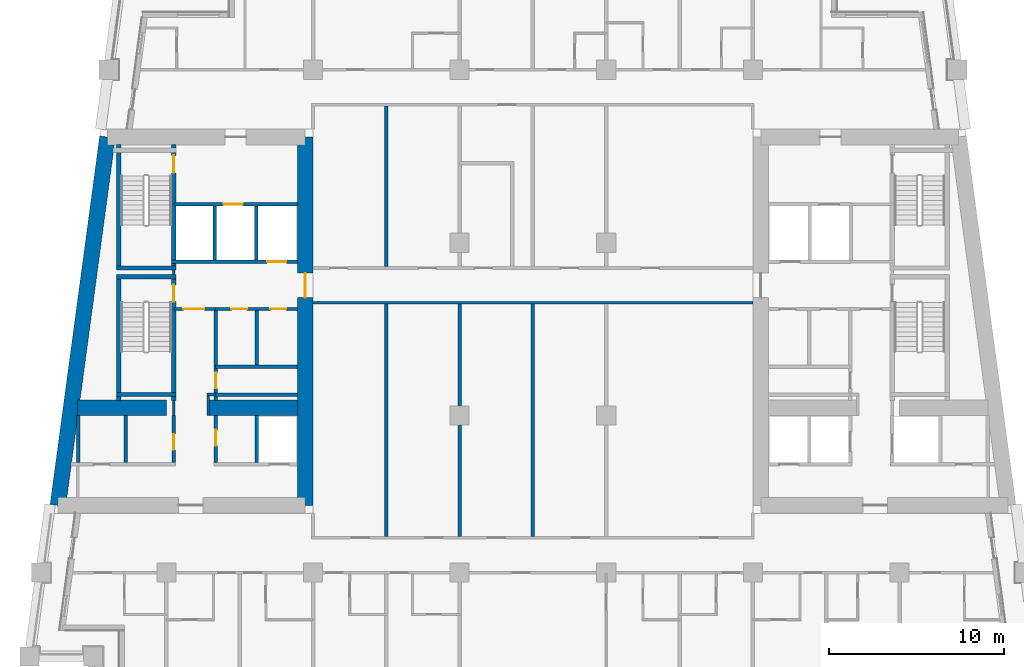
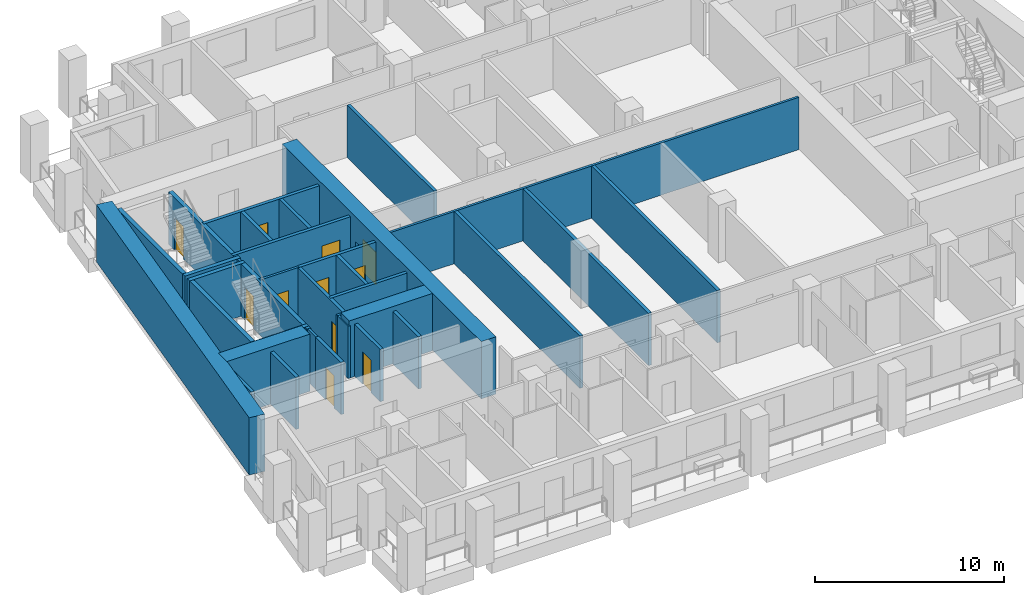
# One storey, part 4 of 13: 35 walls, 11 doors, 11 openings.
"""IFC4 building model written with IfcOpenShell, lengths in metres."""

from ifc_helpers import new_model, si_unit, direction, frame, frame_2d, origin, place, context, subcontext, project, spatial, rectangle, extrude, material, layer, layer_set, type_object, element, fill, save


model = new_model("IFC4")

# Units and contexts
model_context = context("Model", 3, precision=1e-05, world=origin(), true_north=direction((0.0, 1.0)))
body_context = subcontext(model_context, "Body", "Model", "MODEL_VIEW")
ifc_project = project(units=[si_unit("LENGTHUNIT", "METRE"), si_unit("AREAUNIT", "SQUARE_METRE"), si_unit("VOLUMEUNIT", "CUBIC_METRE"), si_unit("PLANEANGLEUNIT", "RADIAN"), si_unit("MASSUNIT", "GRAM", prefix="KILO")], contexts=[model_context])

# Site, building, storey
site_placement = place(None, origin())
site = spatial("IfcSite", under=ifc_project, at=site_placement, CompositionType="ELEMENT")
building_placement = place(site_placement, origin())
building = spatial("IfcBuilding", under=site, at=building_placement, Name="Candeia Pilgrim Tower and Theatre", CompositionType="ELEMENT")
storey_placement = place(building_placement, frame((0.0, 0.0, 181.10009765625)))
storey = spatial("IfcBuildingStorey", under=building, at=storey_placement, Name="L43", CompositionType="ELEMENT", Elevation=181.10009765625)

# Wall, opening, door
ifc_material_1 = material(Name="Concrete C60/75", Category="concrete")
ifc_layer_1 = layer(ifc_material_1, 0.89990234375)
ifc_layer_set_1 = layer_set([ifc_layer_1], Name="Core wall 900 C60/75")
wall_type_1 = type_object("IfcWallType", Name="Core wall 900 C60/75", PredefinedType="SHEAR", material=ifc_layer_set_1)
wall_1_placement = place(storey_placement, frame((100.35009765625, 131.949951171875, 0.0), z_axis=(0.0, 0.0, 1.0), x_axis=(0.0, -1.0, 0.0)))
wall_1 = element("IfcWall", 1, at=wall_1_placement, inside=storey, type_object=wall_type_1, Name="Core wall W2", PredefinedType="SHEAR", context=body_context, shape_type="SweptSolid", body=[
    extrude(rectangle(XDim=21.099853515625, YDim=0.89990234375, at=frame_2d((10.5498046875, 0.0))), origin(), (0.0, 0.0, 1.0), 3.699951171875),
])
opening_1_placement = place(wall_1_placement, frame((7.800048828125, 0.0, 0.0)))
opening_1 = element("IfcOpeningElement", 2, at=opening_1_placement, cuts=wall_1, Name="Opening L43-D066", PredefinedType="OPENING", context=body_context, shape_type="SweptSolid", body=[
    extrude(rectangle(XDim=1.39990234375, YDim=2.10009765625, at=frame_2d((0.699951171875, 1.050048828125))), frame((0.0, 0.4599609375, 0.0), z_axis=(0.0, -1.0, 0.0), x_axis=(1.0, 0.0, 0.0)), (0.0, 0.0, 1.0), 0.919921875),
])
ifc_material_2 = material(Name="Steel fire door set", Category="steel")
door_type_1 = type_object("IfcDoorType", Name="D-1400-FD60", OperationType="NOTDEFINED", PredefinedType="DOOR", material=ifc_material_2)
door_1_placement = place(opening_1_placement, origin())
door_1 = element("IfcDoor", 3, at=door_1_placement, inside=storey, type_object=door_type_1, Name="Door L43-D066", OperationType="SINGLE_SWING_LEFT", OverallHeight=2.10009765625, OverallWidth=1.39990234375, PredefinedType="DOOR", context=body_context, shape_type="SweptSolid", body=[
    extrude(rectangle(XDim=1.39990234375, YDim=2.10009765625, at=frame_2d((0.699951171875, 1.050048828125))), frame((0.0, 0.02490234375, 0.0), z_axis=(0.0, -1.0, 0.0), x_axis=(1.0, 0.0, 0.0)), (0.0, 0.0, 1.0), 0.050048828125),
])
fill(opening_1, door_1)

# Walls
wall_2_placement = place(storey_placement, frame((86.183837890625, 110.85009765625, 0.0), z_axis=(0.0, 0.0, 1.0), x_axis=(0.133410495943, 0.991060865725, 0.0)))
element("IfcWall", 4, at=wall_2_placement, inside=storey, type_object=wall_type_1, Name="Core wall W4", PredefinedType="SHEAR", context=body_context, shape_type="SweptSolid", body=[
    extrude(rectangle(XDim=21.290283203125, YDim=0.89990234375, at=frame_2d((10.64501953125, 0.0))), origin(), (0.0, 0.0, 1.0), 3.699951171875),
])
wall_3_placement = place(storey_placement, frame((87.322998046875, 116.449951171875, 0.0), z_axis=(0.0, 0.0, 1.0), x_axis=(1.0, 0.0, 0.0)))
element("IfcWall", 5, at=wall_3_placement, inside=storey, type_object=wall_type_1, Name="Core wall W5", PredefinedType="SHEAR", context=body_context, shape_type="SweptSolid", body=[
    extrude(rectangle(XDim=5.076904296875, YDim=0.89990234375, at=frame_2d((2.53857421875, 0.0))), origin(), (0.0, 0.0, 1.0), 3.699951171875),
])
wall_4_placement = place(storey_placement, frame((94.800048828125, 116.449951171875, 0.0), z_axis=(0.0, 0.0, 1.0), x_axis=(1.0, 0.0, 0.0)))
element("IfcWall", 6, at=wall_4_placement, inside=storey, type_object=wall_type_1, Name="Core wall W6", PredefinedType="SHEAR", context=body_context, shape_type="SweptSolid", body=[
    extrude(rectangle(XDim=5.099853515625, YDim=0.89990234375, at=frame_2d((2.5498046875, 0.0))), origin(), (0.0, 0.0, 1.0), 3.699951171875),
])
ifc_material_3 = material(Name="Gypsum board partition on steel studs", Category="steel")
ifc_layer_2 = layer(ifc_material_3, 0.14990234375)
ifc_layer_set_2 = layer_set([ifc_layer_2], Name="PW-150 lobby wall")
wall_type_2 = type_object("IfcWallType", Name="PW-150 lobby wall", PredefinedType="PARTITIONING", material=ifc_layer_set_2)
wall_5_placement = place(storey_placement, frame((94.72509765625, 117.199951171875, 0.0), z_axis=(0.0, 0.0, 1.0), x_axis=(1.0, 0.0, 0.0)))
element("IfcWall", 7, at=wall_5_placement, inside=storey, type_object=wall_type_2, Name="Lobby wall L43-019", PredefinedType="PARTITIONING", context=body_context, shape_type="SweptSolid", body=[
    extrude(rectangle(XDim=0.501953125, YDim=0.14990234375, at=frame_2d((0.2509765625, 0.0))), origin(), (0.0, 0.0, 1.0), 3.3798828125),
])

# Wall, opening, door
wall_6_placement = place(storey_placement, frame((92.826904296875, 122.10009765625, 0.0), z_axis=(0.0, 0.0, 1.0), x_axis=(1.0, 0.0, 0.0)))
wall_6 = element("IfcWall", 8, at=wall_6_placement, inside=storey, type_object=wall_type_2, Name="Lobby wall L43-027", PredefinedType="PARTITIONING", context=body_context, shape_type="SweptSolid", body=[
    extrude(rectangle(XDim=2.400146484375, YDim=0.14990234375, at=frame_2d((1.2001953125, 0.0))), origin(), (0.0, 0.0, 1.0), 3.3798828125),
])
opening_2_placement = place(wall_6_placement, frame((0.550048828125, 0.0, 0.0)))
opening_2 = element("IfcOpeningElement", 9, at=opening_2_placement, cuts=wall_6, Name="Opening L43-D001", PredefinedType="OPENING", context=body_context, shape_type="SweptSolid", body=[
    extrude(rectangle(XDim=1.199951171875, YDim=2.10009765625, at=frame_2d((0.60009765625, 1.050048828125))), frame((0.0, 0.0849609375, 0.0), z_axis=(0.0, -1.0, 0.0), x_axis=(1.0, 0.0, 0.0)), (0.0, 0.0, 1.0), 0.169921875),
])
door_type_2 = type_object("IfcDoorType", Name="D-1200-FD60", OperationType="NOTDEFINED", PredefinedType="DOOR", material=ifc_material_2)
door_2_placement = place(opening_2_placement, origin())
door_2 = element("IfcDoor", 10, at=door_2_placement, inside=storey, type_object=door_type_2, Name="Door L43-D001", OperationType="SINGLE_SWING_RIGHT", OverallHeight=2.10009765625, OverallWidth=1.199951171875, PredefinedType="DOOR", context=body_context, shape_type="SweptSolid", body=[
    extrude(rectangle(XDim=1.199951171875, YDim=2.10009765625, at=frame_2d((0.60009765625, 1.050048828125))), frame((0.0, 0.02490234375, 0.0), z_axis=(0.0, -1.0, 0.0), x_axis=(1.0, 0.0, 0.0)), (0.0, 0.0, 1.0), 0.050048828125),
])
fill(opening_2, door_2)

# Walls
wall_7_placement = place(storey_placement, frame((92.826904296875, 116.0, 0.0), z_axis=(0.0, 0.0, 1.0), x_axis=(0.0, 1.0, 0.0)))
element("IfcWall", 11, at=wall_7_placement, inside=storey, type_object=wall_type_2, Name="Lobby wall L43-060", PredefinedType="PARTITIONING", context=body_context, shape_type="SweptSolid", body=[
    extrude(rectangle(XDim=0.8701171875, YDim=0.14990234375, at=frame_2d((0.43505859375, 0.0))), origin(), (0.0, 0.0, 1.0), 3.3798828125),
])
wall_8_placement = place(storey_placement, frame((92.826904296875, 124.074951171875, 0.0), z_axis=(0.0, 0.0, 1.0), x_axis=(0.0, 1.0, 0.0)))
element("IfcWall", 12, at=wall_8_placement, inside=storey, type_object=wall_type_2, Name="Lobby wall L43-061", PredefinedType="PARTITIONING", context=body_context, shape_type="SweptSolid", body=[
    extrude(rectangle(XDim=0.25, YDim=0.14990234375, at=frame_2d((0.125, 0.0))), origin(), (0.0, 0.0, 1.0), 3.3798828125),
])
wall_9_placement = place(storey_placement, frame((94.800048828125, 116.0, 0.0), z_axis=(0.0, 0.0, 1.0), x_axis=(0.0, 1.0, 0.0)))
element("IfcWall", 13, at=wall_9_placement, inside=storey, type_object=wall_type_2, Name="Lobby wall L43-065", PredefinedType="PARTITIONING", context=body_context, shape_type="SweptSolid", body=[
    extrude(rectangle(XDim=1.125, YDim=0.14990234375, at=frame_2d((0.5625, 0.0))), origin(), (0.0, 0.0, 1.0), 3.3798828125),
])
ifc_layer_3 = layer(ifc_material_3, 0.14990234375)
ifc_layer_set_3 = layer_set([ifc_layer_3], Name="PW-150 unit wall")
wall_type_3 = type_object("IfcWallType", Name="PW-150 unit wall", PredefinedType="PARTITIONING", material=ifc_layer_set_3)
wall_10_placement = place(storey_placement, frame((100.800048828125, 122.449951171875, 0.0), z_axis=(0.0, 0.0, 1.0), x_axis=(1.0, 0.0, 0.0)))
element("IfcWall", 14, at=wall_10_placement, inside=storey, type_object=wall_type_3, Name="Unit wall L43-029", PredefinedType="PARTITIONING", context=body_context, shape_type="SweptSolid", body=[
    extrude(rectangle(XDim=25.199951171875, YDim=0.14990234375, at=frame_2d((12.60009765625, 0.0))), origin(), (0.0, 0.0, 1.0), 3.3798828125),
])
ifc_layer_4 = layer(ifc_material_3, 0.199951171875)
ifc_layer_set_4 = layer_set([ifc_layer_4], Name="PW-200 party wall")
wall_type_4 = type_object("IfcWallType", Name="PW-200 party wall", PredefinedType="PARTITIONING", material=ifc_layer_set_4)
wall_11_placement = place(storey_placement, frame((105.0, 109.074951171875, 0.0), z_axis=(0.0, 0.0, 1.0), x_axis=(0.0, 1.0, 0.0)))
element("IfcWall", 15, at=wall_11_placement, inside=storey, type_object=wall_type_4, Name="Party wall L43-082", PredefinedType="PARTITIONING", context=body_context, shape_type="SweptSolid", body=[
    extrude(rectangle(XDim=13.300048828125, YDim=0.199951171875, at=frame_2d((6.64990234375, 0.0))), origin(), (0.0, 0.0, 1.0), 3.3798828125),
])
wall_12_placement = place(storey_placement, frame((105.0, 124.52490234375, 0.0), z_axis=(0.0, 0.0, 1.0), x_axis=(0.0, 1.0, 0.0)))
element("IfcWall", 16, at=wall_12_placement, inside=storey, type_object=wall_type_4, Name="Party wall L43-083", PredefinedType="PARTITIONING", context=body_context, shape_type="SweptSolid", body=[
    extrude(rectangle(XDim=9.2001953125, YDim=0.199951171875, at=frame_2d((4.60009765625, 0.0))), origin(), (0.0, 0.0, 1.0), 3.3798828125),
])
for number, where, z_axis, x_axis, name in (
    (17, (109.199951171875, 109.074951171875, 0.0), (0.0, 0.0, 1.0), (0.0, 1.0, 0.0), "Party wall L43-087"),
    (18, (113.39990234375, 109.074951171875, 0.0), (0.0, 0.0, 1.0), (0.0, 1.0, 0.0), "Party wall L43-091"),
):
    element("IfcWall", number, at=place(storey_placement, frame(where, z_axis=z_axis, x_axis=x_axis)), inside=storey, type_object=wall_type_4, Name=name, PredefinedType="PARTITIONING", context=body_context, shape_type="SweptSolid", body=[
        extrude(rectangle(XDim=13.300048828125, YDim=0.199951171875, at=frame_2d((6.64990234375, 0.0))), origin(), (0.0, 0.0, 1.0), 3.3798828125),
    ])
ifc_material_4 = material(Name="Concrete C40/50", Category="concrete")
ifc_layer_5 = layer(ifc_material_4, 0.199951171875)
ifc_layer_set_5 = layer_set([ifc_layer_5], Name="SW-200 shaft wall")
wall_type_5 = type_object("IfcWallType", Name="SW-200 shaft wall", PredefinedType="PARTITIONING", material=ifc_layer_set_5)
for number, where, z_axis, x_axis, name in (
    (19, (95.22705078125, 117.199951171875, 0.0), (0.0, 0.0, 1.0), (1.0, 0.0, 0.0), "Shaft wall L43-017"),
    (20, (95.22705078125, 118.800048828125, 0.0), (0.0, 0.0, 1.0), (1.0, 0.0, 0.0), "Shaft wall L43-023"),
):
    element("IfcWall", number, at=place(storey_placement, frame(where, z_axis=z_axis, x_axis=x_axis)), inside=storey, type_object=wall_type_5, Name=name, PredefinedType="PARTITIONING", context=body_context, shape_type="SweptSolid", body=[
        extrude(rectangle(XDim=4.6728515625, YDim=0.199951171875, at=frame_2d((2.33642578125, 0.0))), origin(), (0.0, 0.0, 1.0), 3.3798828125),
    ])

# Wall, openings, doors
wall_13_placement = place(storey_placement, frame((95.22705078125, 122.10009765625, 0.0), z_axis=(0.0, 0.0, 1.0), x_axis=(1.0, 0.0, 0.0)))
wall_13 = element("IfcWall", 21, at=wall_13_placement, inside=storey, type_object=wall_type_5, Name="Shaft wall L43-025", PredefinedType="PARTITIONING", context=body_context, shape_type="SweptSolid", body=[
    extrude(rectangle(XDim=4.6728515625, YDim=0.199951171875, at=frame_2d((2.33642578125, 0.0))), origin(), (0.0, 0.0, 1.0), 3.3798828125),
])
opening_3_placement = place(wall_13_placement, frame((0.902099609375, 0.0, 0.0)))
opening_3 = element("IfcOpeningElement", 22, at=opening_3_placement, cuts=wall_13, Name="Opening L43-D002", PredefinedType="OPENING", context=body_context, shape_type="SweptSolid", body=[
    extrude(rectangle(XDim=0.89990234375, YDim=2.10009765625, at=frame_2d((0.449951171875, 1.050048828125))), frame((0.0, 0.10986328125, 0.0), z_axis=(0.0, -1.0, 0.0), x_axis=(1.0, 0.0, 0.0)), (0.0, 0.0, 1.0), 0.219970703125),
])
opening_4_placement = place(wall_13_placement, frame((3.1279296875, 0.0, 0.0)))
opening_4 = element("IfcOpeningElement", 23, at=opening_4_placement, cuts=wall_13, Name="Opening L43-D003", PredefinedType="OPENING", context=body_context, shape_type="SweptSolid", body=[
    extrude(rectangle(XDim=0.89990234375, YDim=2.10009765625, at=frame_2d((0.449951171875, 1.050048828125))), frame((0.0, 0.10986328125, 0.0), z_axis=(0.0, -1.0, 0.0), x_axis=(1.0, 0.0, 0.0)), (0.0, 0.0, 1.0), 0.219970703125),
])
door_type_3 = type_object("IfcDoorType", Name="D-900-FD60", OperationType="NOTDEFINED", PredefinedType="DOOR", material=ifc_material_2)
door_3_placement = place(opening_3_placement, origin())
door_3 = element("IfcDoor", 24, at=door_3_placement, inside=storey, type_object=door_type_3, Name="Door L43-D002", OperationType="SINGLE_SWING_LEFT", OverallHeight=2.10009765625, OverallWidth=0.89990234375, PredefinedType="DOOR", context=body_context, shape_type="SweptSolid", body=[
    extrude(rectangle(XDim=0.89990234375, YDim=2.10009765625, at=frame_2d((0.449951171875, 1.050048828125))), frame((0.0, 0.02490234375, 0.0), z_axis=(0.0, -1.0, 0.0), x_axis=(1.0, 0.0, 0.0)), (0.0, 0.0, 1.0), 0.050048828125),
])
fill(opening_3, door_3)
door_4_placement = place(opening_4_placement, origin())
door_4 = element("IfcDoor", 25, at=door_4_placement, inside=storey, type_object=door_type_3, Name="Door L43-D003", OperationType="SINGLE_SWING_RIGHT", OverallHeight=2.10009765625, OverallWidth=0.89990234375, PredefinedType="DOOR", context=body_context, shape_type="SweptSolid", body=[
    extrude(rectangle(XDim=0.89990234375, YDim=2.10009765625, at=frame_2d((0.449951171875, 1.050048828125))), frame((0.0, 0.02490234375, 0.0), z_axis=(0.0, -1.0, 0.0), x_axis=(1.0, 0.0, 0.0)), (0.0, 0.0, 1.0), 0.050048828125),
])
fill(opening_4, door_4)

# Wall, opening, door
wall_14_placement = place(storey_placement, frame((92.701904296875, 124.800048828125, 0.0), z_axis=(0.0, 0.0, 1.0), x_axis=(1.0, 0.0, 0.0)))
wall_14 = element("IfcWall", 26, at=wall_14_placement, inside=storey, type_object=wall_type_5, Name="Shaft wall L43-035", PredefinedType="PARTITIONING", context=body_context, shape_type="SweptSolid", body=[
    extrude(rectangle(XDim=7.197998046875, YDim=0.199951171875, at=frame_2d((3.59912109375, 0.0))), origin(), (0.0, 0.0, 1.0), 3.3798828125),
])
opening_5_placement = place(wall_14_placement, frame((5.468994140625, 0.0, 0.0)))
opening_5 = element("IfcOpeningElement", 27, at=opening_5_placement, cuts=wall_14, Name="Opening L43-LD02", PredefinedType="OPENING", context=body_context, shape_type="SweptSolid", body=[
    extrude(rectangle(XDim=1.10009765625, YDim=2.10009765625, at=frame_2d((0.550048828125, 1.050048828125))), frame((0.0, 0.10986328125, 0.0), z_axis=(0.0, -1.0, 0.0), x_axis=(1.0, 0.0, 0.0)), (0.0, 0.0, 1.0), 0.219970703125),
])
ifc_material_5 = material(Name="Glazed aluminium landing door", Category="aluminium")
door_type_4 = type_object("IfcDoorType", Name="LD-1100-EI120", OperationType="SLIDING_TO_LEFT", PredefinedType="DOOR", material=ifc_material_5)
door_5_placement = place(opening_5_placement, origin())
door_5 = element("IfcDoor", 28, at=door_5_placement, inside=storey, type_object=door_type_4, Name="Landing door 02 L43", OperationType="SLIDING_TO_LEFT", OverallHeight=2.10009765625, OverallWidth=1.10009765625, PredefinedType="DOOR", context=body_context, shape_type="SweptSolid", body=[
    extrude(rectangle(XDim=1.10009765625, YDim=2.10009765625, at=frame_2d((0.550048828125, 1.050048828125))), frame((0.0, 0.02490234375, 0.0), z_axis=(0.0, -1.0, 0.0), x_axis=(1.0, 0.0, 0.0)), (0.0, 0.0, 1.0), 0.050048828125),
])
fill(opening_5, door_5)

wall_15_placement = place(storey_placement, frame((92.826904296875, 128.10009765625, 0.0), z_axis=(0.0, 0.0, 1.0), x_axis=(1.0, 0.0, 0.0)))
wall_15 = element("IfcWall", 29, at=wall_15_placement, inside=storey, type_object=wall_type_5, Name="Shaft wall L43-038", PredefinedType="PARTITIONING", context=body_context, shape_type="SweptSolid", body=[
    extrude(rectangle(XDim=7.072998046875, YDim=0.199951171875, at=frame_2d((3.53662109375, 0.0))), origin(), (0.0, 0.0, 1.0), 3.3798828125),
])
opening_6_placement = place(wall_15_placement, frame((2.846923828125, 0.0, 0.0)))
opening_6 = element("IfcOpeningElement", 30, at=opening_6_placement, cuts=wall_15, Name="Opening L43-LD01", PredefinedType="OPENING", context=body_context, shape_type="SweptSolid", body=[
    extrude(rectangle(XDim=1.10009765625, YDim=2.10009765625, at=frame_2d((0.550048828125, 1.050048828125))), frame((0.0, 0.10986328125, 0.0), z_axis=(0.0, -1.0, 0.0), x_axis=(1.0, 0.0, 0.0)), (0.0, 0.0, 1.0), 0.219970703125),
])
door_6_placement = place(opening_6_placement, origin())
door_6 = element("IfcDoor", 31, at=door_6_placement, inside=storey, type_object=door_type_4, Name="Landing door 01 L43", OperationType="SLIDING_TO_LEFT", OverallHeight=2.10009765625, OverallWidth=1.10009765625, PredefinedType="DOOR", context=body_context, shape_type="SweptSolid", body=[
    extrude(rectangle(XDim=1.10009765625, YDim=2.10009765625, at=frame_2d((0.550048828125, 1.050048828125))), frame((0.0, 0.02490234375, 0.0), z_axis=(0.0, -1.0, 0.0), x_axis=(1.0, 0.0, 0.0)), (0.0, 0.0, 1.0), 0.050048828125),
])
fill(opening_6, door_6)

# Walls
for number, where, z_axis, x_axis, name in (
    (32, (87.350341796875, 113.300048828125, 0.0), (0.0, 0.0, 1.0), (0.0, 1.0, 0.0), "Shaft wall L43-052"),
    (33, (90.077392578125, 113.300048828125, 0.0), (0.0, 0.0, 1.0), (0.0, 1.0, 0.0), "Shaft wall L43-057"),
):
    element("IfcWall", number, at=place(storey_placement, frame(where, z_axis=z_axis, x_axis=x_axis)), inside=storey, type_object=wall_type_5, Name=name, PredefinedType="PARTITIONING", context=body_context, shape_type="SweptSolid", body=[
        extrude(rectangle(XDim=2.699951171875, YDim=0.199951171875, at=frame_2d((1.35009765625, 0.0))), origin(), (0.0, 0.0, 1.0), 3.3798828125),
    ])

# Wall, opening, door
wall_16_placement = place(storey_placement, frame((92.826904296875, 113.300048828125, 0.0), z_axis=(0.0, 0.0, 1.0), x_axis=(0.0, 1.0, 0.0)))
wall_16 = element("IfcWall", 34, at=wall_16_placement, inside=storey, type_object=wall_type_5, Name="Shaft wall L43-059", PredefinedType="PARTITIONING", context=body_context, shape_type="SweptSolid", body=[
    extrude(rectangle(XDim=2.699951171875, YDim=0.199951171875, at=frame_2d((1.35009765625, 0.0))), origin(), (0.0, 0.0, 1.0), 3.3798828125),
])
opening_7_placement = place(wall_16_placement, frame((0.72998046875, 0.0, 0.0)))
opening_7 = element("IfcOpeningElement", 35, at=opening_7_placement, cuts=wall_16, Name="Opening L43-D008", PredefinedType="OPENING", context=body_context, shape_type="SweptSolid", body=[
    extrude(rectangle(XDim=0.89990234375, YDim=2.10009765625, at=frame_2d((0.449951171875, 1.050048828125))), frame((0.0, 0.10986328125, 0.0), z_axis=(0.0, -1.0, 0.0), x_axis=(1.0, 0.0, 0.0)), (0.0, 0.0, 1.0), 0.219970703125),
])
door_7_placement = place(opening_7_placement, origin())
door_7 = element("IfcDoor", 36, at=door_7_placement, inside=storey, type_object=door_type_3, Name="Door L43-D008", OperationType="SINGLE_SWING_RIGHT", OverallHeight=2.10009765625, OverallWidth=0.89990234375, PredefinedType="DOOR", context=body_context, shape_type="SweptSolid", body=[
    extrude(rectangle(XDim=0.89990234375, YDim=2.10009765625, at=frame_2d((0.449951171875, 1.050048828125))), frame((0.0, 0.02490234375, 0.0), z_axis=(0.0, -1.0, 0.0), x_axis=(1.0, 0.0, 0.0)), (0.0, 0.0, 1.0), 0.050048828125),
])
fill(opening_7, door_7)

# Wall
wall_17_placement = place(storey_placement, frame((95.184814453125, 124.89990234375, 0.0), z_axis=(0.0, 0.0, 1.0), x_axis=(0.0, 1.0, 0.0)))
element("IfcWall", 37, at=wall_17_placement, inside=storey, type_object=wall_type_5, Name="Shaft wall L43-067", PredefinedType="PARTITIONING", context=body_context, shape_type="SweptSolid", body=[
    extrude(rectangle(XDim=3.10009765625, YDim=0.199951171875, at=frame_2d((1.550048828125, 0.0))), origin(), (0.0, 0.0, 1.0), 3.3798828125),
])

# Wall, opening, door
wall_18_placement = place(storey_placement, frame((95.22705078125, 113.300048828125, 0.0), z_axis=(0.0, 0.0, 1.0), x_axis=(0.0, 1.0, 0.0)))
wall_18 = element("IfcWall", 38, at=wall_18_placement, inside=storey, type_object=wall_type_5, Name="Shaft wall L43-068", PredefinedType="PARTITIONING", context=body_context, shape_type="SweptSolid", body=[
    extrude(rectangle(XDim=2.699951171875, YDim=0.199951171875, at=frame_2d((1.35009765625, 0.0))), origin(), (0.0, 0.0, 1.0), 3.3798828125),
])
opening_8_placement = place(wall_18_placement, frame((0.969970703125, 0.0, 0.0)))
opening_8 = element("IfcOpeningElement", 39, at=opening_8_placement, cuts=wall_18, Name="Opening L43-D009", PredefinedType="OPENING", context=body_context, shape_type="SweptSolid", body=[
    extrude(rectangle(XDim=0.89990234375, YDim=2.10009765625, at=frame_2d((0.449951171875, 1.050048828125))), frame((0.0, 0.10986328125, 0.0), z_axis=(0.0, -1.0, 0.0), x_axis=(1.0, 0.0, 0.0)), (0.0, 0.0, 1.0), 0.219970703125),
])
door_8_placement = place(opening_8_placement, origin())
door_8 = element("IfcDoor", 40, at=door_8_placement, inside=storey, type_object=door_type_3, Name="Door L43-D009", OperationType="SINGLE_SWING_LEFT", OverallHeight=2.10009765625, OverallWidth=0.89990234375, PredefinedType="DOOR", context=body_context, shape_type="SweptSolid", body=[
    extrude(rectangle(XDim=0.89990234375, YDim=2.10009765625, at=frame_2d((0.449951171875, 1.050048828125))), frame((0.0, 0.02490234375, 0.0), z_axis=(0.0, -1.0, 0.0), x_axis=(1.0, 0.0, 0.0)), (0.0, 0.0, 1.0), 0.050048828125),
])
fill(opening_8, door_8)

wall_19_placement = place(storey_placement, frame((95.22705078125, 116.8701171875, 0.0), z_axis=(0.0, 0.0, 1.0), x_axis=(0.0, 1.0, 0.0)))
wall_19 = element("IfcWall", 41, at=wall_19_placement, inside=storey, type_object=wall_type_5, Name="Shaft wall L43-069", PredefinedType="PARTITIONING", context=body_context, shape_type="SweptSolid", body=[
    extrude(rectangle(XDim=5.1298828125, YDim=0.199951171875, at=frame_2d((2.56494140625, 0.0))), origin(), (0.0, 0.0, 1.0), 3.3798828125),
])
opening_9_placement = place(wall_19_placement, frame((0.679931640625, 0.0, 0.0)))
opening_9 = element("IfcOpeningElement", 42, at=opening_9_placement, cuts=wall_19, Name="Opening L43-D006", PredefinedType="OPENING", context=body_context, shape_type="SweptSolid", body=[
    extrude(rectangle(XDim=0.89990234375, YDim=2.10009765625, at=frame_2d((0.449951171875, 1.050048828125))), frame((0.0, 0.10986328125, 0.0), z_axis=(0.0, -1.0, 0.0), x_axis=(1.0, 0.0, 0.0)), (0.0, 0.0, 1.0), 0.219970703125),
])
door_9_placement = place(opening_9_placement, origin())
door_9 = element("IfcDoor", 43, at=door_9_placement, inside=storey, type_object=door_type_3, Name="Door L43-D006", OperationType="SINGLE_SWING_LEFT", OverallHeight=2.10009765625, OverallWidth=0.89990234375, PredefinedType="DOOR", context=body_context, shape_type="SweptSolid", body=[
    extrude(rectangle(XDim=0.89990234375, YDim=2.10009765625, at=frame_2d((0.449951171875, 1.050048828125))), frame((0.0, 0.02490234375, 0.0), z_axis=(0.0, -1.0, 0.0), x_axis=(1.0, 0.0, 0.0)), (0.0, 0.0, 1.0), 0.050048828125),
])
fill(opening_9, door_9)

# Walls
wall_20_placement = place(storey_placement, frame((97.542236328125, 124.89990234375, 0.0), z_axis=(0.0, 0.0, 1.0), x_axis=(0.0, 1.0, 0.0)))
element("IfcWall", 44, at=wall_20_placement, inside=storey, type_object=wall_type_5, Name="Shaft wall L43-072", PredefinedType="PARTITIONING", context=body_context, shape_type="SweptSolid", body=[
    extrude(rectangle(XDim=3.10009765625, YDim=0.199951171875, at=frame_2d((1.550048828125, 0.0))), origin(), (0.0, 0.0, 1.0), 3.3798828125),
])
wall_21_placement = place(storey_placement, frame((97.5634765625, 113.300048828125, 0.0), z_axis=(0.0, 0.0, 1.0), x_axis=(0.0, 1.0, 0.0)))
element("IfcWall", 45, at=wall_21_placement, inside=storey, type_object=wall_type_5, Name="Shaft wall L43-073", PredefinedType="PARTITIONING", context=body_context, shape_type="SweptSolid", body=[
    extrude(rectangle(XDim=2.699951171875, YDim=0.199951171875, at=frame_2d((1.35009765625, 0.0))), origin(), (0.0, 0.0, 1.0), 3.3798828125),
])
wall_22_placement = place(storey_placement, frame((97.5634765625, 118.89990234375, 0.0), z_axis=(0.0, 0.0, 1.0), x_axis=(0.0, 1.0, 0.0)))
element("IfcWall", 46, at=wall_22_placement, inside=storey, type_object=wall_type_5, Name="Shaft wall L43-074", PredefinedType="PARTITIONING", context=body_context, shape_type="SweptSolid", body=[
    extrude(rectangle(XDim=3.10009765625, YDim=0.199951171875, at=frame_2d((1.550048828125, 0.0))), origin(), (0.0, 0.0, 1.0), 3.3798828125),
])
ifc_layer_6 = layer(ifc_material_4, 0.25)
ifc_layer_set_6 = layer_set([ifc_layer_6], Name="SW-250 stair wall")
wall_type_6 = type_object("IfcWallType", Name="SW-250 stair wall", PredefinedType="PARTITIONING", material=ifc_layer_set_6)
for number, where, z_axis, x_axis, name in (
    (47, (89.552001953125, 117.199951171875, 0.0), (0.0, 0.0, 1.0), (1.0, 0.0, 0.0), "Stair wall L43-021"),
    (48, (89.552001953125, 123.949951171875, 0.0), (0.0, 0.0, 1.0), (1.0, 0.0, 0.0), "Stair wall L43-030"),
    (49, (89.552001953125, 124.449951171875, 0.0), (0.0, 0.0, 1.0), (1.0, 0.0, 0.0), "Stair wall L43-032"),
):
    element("IfcWall", number, at=place(storey_placement, frame(where, z_axis=z_axis, x_axis=x_axis)), inside=storey, type_object=wall_type_6, Name=name, PredefinedType="PARTITIONING", context=body_context, shape_type="SweptSolid", body=[
        extrude(rectangle(XDim=3.39990234375, YDim=0.25, at=frame_2d((1.699951171875, 0.0))), origin(), (0.0, 0.0, 1.0), 3.3798828125),
    ])
wall_23_placement = place(storey_placement, frame((89.677001953125, 116.8701171875, 0.0), z_axis=(0.0, 0.0, 1.0), x_axis=(0.0, 1.0, 0.0)))
element("IfcWall", 50, at=wall_23_placement, inside=storey, type_object=wall_type_6, Name="Stair wall L43-054", PredefinedType="PARTITIONING", context=body_context, shape_type="SweptSolid", body=[
    extrude(rectangle(XDim=6.954833984375, YDim=0.25, at=frame_2d((3.4775390625, 0.0))), origin(), (0.0, 0.0, 1.0), 3.3798828125),
])
wall_24_placement = place(storey_placement, frame((89.677001953125, 124.574951171875, 0.0), z_axis=(0.0, 0.0, 1.0), x_axis=(0.0, 1.0, 0.0)))
element("IfcWall", 51, at=wall_24_placement, inside=storey, type_object=wall_type_6, Name="Stair wall L43-055", PredefinedType="PARTITIONING", context=body_context, shape_type="SweptSolid", body=[
    extrude(rectangle(XDim=6.955078125, YDim=0.25, at=frame_2d((3.4775390625, 0.0))), origin(), (0.0, 0.0, 1.0), 3.3798828125),
])

# Wall, opening, door
wall_25_placement = place(storey_placement, frame((92.826904296875, 116.8701171875, 0.0), z_axis=(0.0, 0.0, 1.0), x_axis=(0.0, 1.0, 0.0)))
wall_25 = element("IfcWall", 52, at=wall_25_placement, inside=storey, type_object=wall_type_6, Name="Stair wall L43-062", PredefinedType="PARTITIONING", context=body_context, shape_type="SweptSolid", body=[
    extrude(rectangle(XDim=6.954833984375, YDim=0.25, at=frame_2d((3.4775390625, 0.0))), origin(), (0.0, 0.0, 1.0), 3.3798828125),
])
opening_10_placement = place(wall_25_placement, frame((5.655029296875, 0.0, 0.0)))
opening_10 = element("IfcOpeningElement", 53, at=opening_10_placement, cuts=wall_25, Name="Opening L43-D004", PredefinedType="OPENING", context=body_context, shape_type="SweptSolid", body=[
    extrude(rectangle(XDim=0.949951171875, YDim=2.10009765625, at=frame_2d((0.47509765625, 1.050048828125))), frame((0.0, 0.135009765625, 0.0), z_axis=(0.0, -1.0, 0.0), x_axis=(1.0, 0.0, 0.0)), (0.0, 0.0, 1.0), 0.27001953125),
])
door_type_5 = type_object("IfcDoorType", Name="D-950-FD60", OperationType="NOTDEFINED", PredefinedType="DOOR", material=ifc_material_2)
door_10_placement = place(opening_10_placement, origin())
door_10 = element("IfcDoor", 54, at=door_10_placement, inside=storey, type_object=door_type_5, Name="Door L43-D004", OperationType="SINGLE_SWING_LEFT", OverallHeight=2.10009765625, OverallWidth=0.949951171875, PredefinedType="DOOR", context=body_context, shape_type="SweptSolid", body=[
    extrude(rectangle(XDim=0.949951171875, YDim=2.10009765625, at=frame_2d((0.47509765625, 1.050048828125))), frame((0.0, 0.02490234375, 0.0), z_axis=(0.0, -1.0, 0.0), x_axis=(1.0, 0.0, 0.0)), (0.0, 0.0, 1.0), 0.050048828125),
])
fill(opening_10, door_10)

wall_26_placement = place(storey_placement, frame((92.826904296875, 124.574951171875, 0.0), z_axis=(0.0, 0.0, 1.0), x_axis=(0.0, 1.0, 0.0)))
wall_26 = element("IfcWall", 55, at=wall_26_placement, inside=storey, type_object=wall_type_6, Name="Stair wall L43-063", PredefinedType="PARTITIONING", context=body_context, shape_type="SweptSolid", body=[
    extrude(rectangle(XDim=6.955078125, YDim=0.25, at=frame_2d((3.4775390625, 0.0))), origin(), (0.0, 0.0, 1.0), 3.3798828125),
])
opening_11_placement = place(wall_26_placement, frame((5.324951171875, 0.0, 0.0)))
opening_11 = element("IfcOpeningElement", 56, at=opening_11_placement, cuts=wall_26, Name="Opening L43-D005", PredefinedType="OPENING", context=body_context, shape_type="SweptSolid", body=[
    extrude(rectangle(XDim=1.0, YDim=2.10009765625, at=frame_2d((0.5, 1.050048828125))), frame((0.0, 0.135009765625, 0.0), z_axis=(0.0, -1.0, 0.0), x_axis=(1.0, 0.0, 0.0)), (0.0, 0.0, 1.0), 0.27001953125),
])
door_type_6 = type_object("IfcDoorType", Name="D-1000-FD60", OperationType="NOTDEFINED", PredefinedType="DOOR", material=ifc_material_2)
door_11_placement = place(opening_11_placement, origin())
door_11 = element("IfcDoor", 57, at=door_11_placement, inside=storey, type_object=door_type_6, Name="Door L43-D005", OperationType="SINGLE_SWING_RIGHT", OverallHeight=2.10009765625, OverallWidth=1.0, PredefinedType="DOOR", context=body_context, shape_type="SweptSolid", body=[
    extrude(rectangle(XDim=1.0, YDim=2.10009765625, at=frame_2d((0.5, 1.050048828125))), frame((0.0, 0.02490234375, 0.0), z_axis=(0.0, -1.0, 0.0), x_axis=(1.0, 0.0, 0.0)), (0.0, 0.0, 1.0), 0.050048828125),
])
fill(opening_11, door_11)

save(model, "model.ifc")
